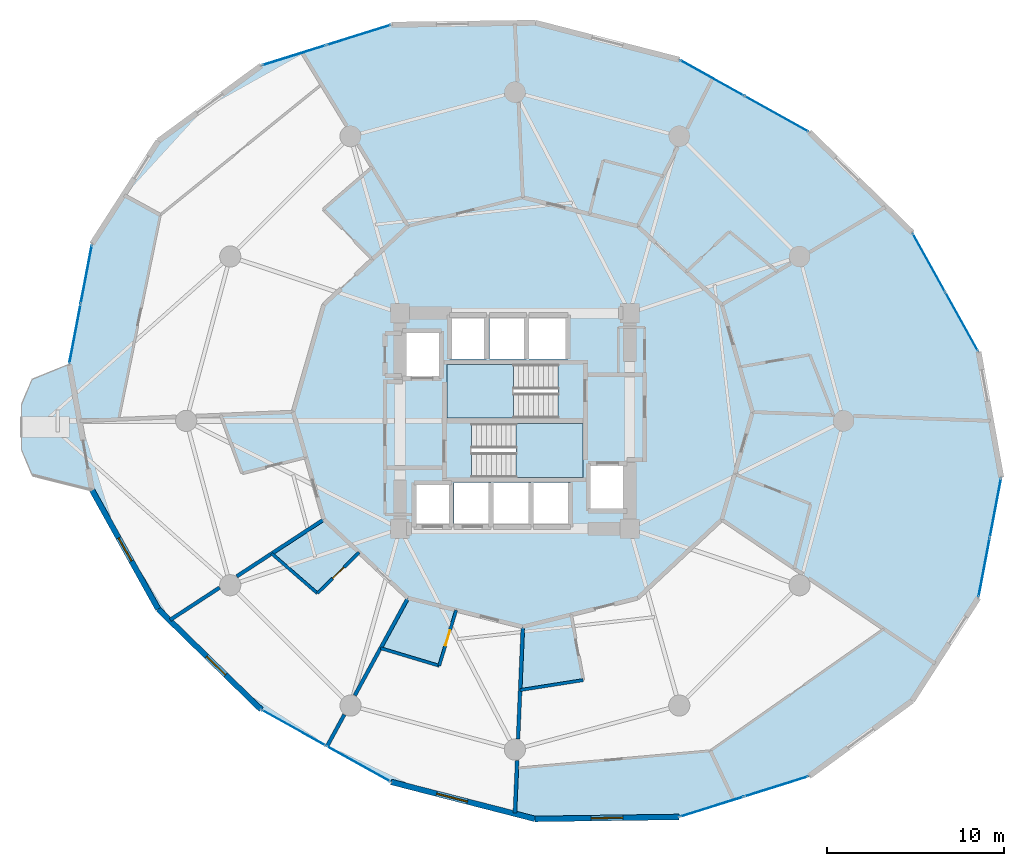
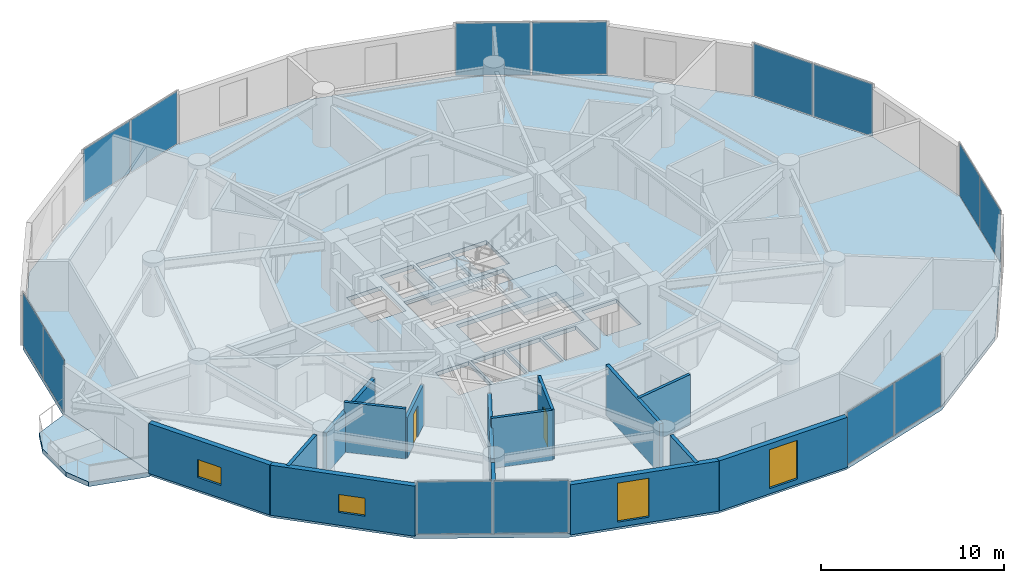
# One storey, part 16 of 22: 15 walls, 14 plates, 4 slabs, 4 windows, 2 doors, 6 openings, 9 elements without a shape of their own.
"""IFC4 building model written with IfcOpenShell, lengths in metres."""

import ifcopenshell
import ifcopenshell.guid

model = None  # the IFC model being written
_history = None  # IfcOwnerHistory: only IFC2X3 demands one
_inside = {}  # id of a spatial element -> (the spatial element, [elements in it])
_under = {}  # id of a project, library or spatial element -> (it, [spatial elements below it])
_declared = {}  # id of a project -> (the project, [libraries it declares])
_typed = {}  # id of a type object -> (the type object, [elements of that type])
_made_of = {}  # id of a material, layer set ... -> (it, [elements and type objects made of it])


def new_model(schema):
    """Start an empty IFC model of exactly this schema.

    Asked for "IFC4X3", IfcOpenShell would pick the latest addendum, in which some entities
    have other attributes; the version numbers below select the first issue.
    IFC2X3 requires an IfcOwnerHistory on every rooted entity: one is made here for all.
    """
    global model, _history
    if schema == "IFC4X3":
        model = ifcopenshell.file(schema_version=(4, 3, 0, 0))
    else:
        model = ifcopenshell.file(schema=schema)
    _inside.clear()
    _under.clear()
    _declared.clear()
    _typed.clear()
    _made_of.clear()
    _history = None
    if model.schema == "IFC2X3":
        org = make("IfcOrganization", Name="unknown")
        user = make(
            "IfcPersonAndOrganization",
            ThePerson=make("IfcPerson", FamilyName="unknown"),
            TheOrganization=org,
        )
        app = make(
            "IfcApplication",
            ApplicationDeveloper=org,
            Version="unknown",
            ApplicationFullName="unknown",
            ApplicationIdentifier="unknown",
        )
        _history = make(
            "IfcOwnerHistory",
            OwningUser=user,
            OwningApplication=app,
            ChangeAction="ADDED",
            CreationDate=0,
        )
    return model


def make(cls, **values):
    """One entity of the class cls with the attributes given. An attribute that is None is left unset."""
    return model.create_entity(
        cls, **{name: value for name, value in values.items() if value is not None}
    )


def rooted(cls, **values):
    """An entity with a GlobalId (a new one), such as an element, a storey or a relation."""
    return make(cls, GlobalId=ifcopenshell.guid.new(), OwnerHistory=_history, **values)


def si_unit(unit_type, name, prefix=None):
    """IfcSIUnit, for example si_unit("LENGTHUNIT", "METRE", prefix="MILLI")."""
    return make("IfcSIUnit", UnitType=unit_type, Prefix=prefix, Name=name)


def assignment(units):
    """IfcUnitAssignment: the units of a project."""
    return None if units is None else make("IfcUnitAssignment", Units=units)


def point(xyz):
    """IfcCartesianPoint."""
    return None if xyz is None else make("IfcCartesianPoint", Coordinates=xyz)


def direction(xyz):
    """IfcDirection."""
    return None if xyz is None else make("IfcDirection", DirectionRatios=xyz)


def frame(location, z_axis=None, x_axis=None):
    """IfcAxis2Placement3D, a coordinate frame: its origin and axes. An axis left out is left unset."""
    return make(
        "IfcAxis2Placement3D",
        Location=point(location),
        Axis=direction(z_axis),
        RefDirection=direction(x_axis),
    )


def frame_2d(location, x_axis=None):
    """IfcAxis2Placement2D, a coordinate frame in the plane: its origin and x axis."""
    return make(
        "IfcAxis2Placement2D", Location=point(location), RefDirection=direction(x_axis)
    )


def origin():
    """The frame at (0, 0, 0) with its axes left unset."""
    return frame((0.0, 0.0, 0.0))


def origin_2d():
    """The frame at (0, 0) in the plane with its x axis left unset."""
    return frame_2d((0.0, 0.0))


def place(relative_to, where):
    """IfcLocalPlacement: puts the frame where relative to a parent placement (None: the world)."""
    return make(
        "IfcLocalPlacement", PlacementRelTo=relative_to, RelativePlacement=where
    )


def context(
    kind, dimensions, precision=None, world=None, true_north=None, identifier=None
):
    """IfcGeometricRepresentationContext, for example the 3D "Model" context."""
    return make(
        "IfcGeometricRepresentationContext",
        ContextIdentifier=identifier,
        ContextType=kind,
        CoordinateSpaceDimension=dimensions,
        Precision=precision,
        WorldCoordinateSystem=world,
        TrueNorth=true_north,
    )


def subcontext(parent, identifier, kind, view, scale=None):
    """IfcGeometricRepresentationSubContext, for example "Body" below "Model"."""
    return make(
        "IfcGeometricRepresentationSubContext",
        ContextIdentifier=identifier,
        ContextType=kind,
        ParentContext=parent,
        TargetScale=scale,
        TargetView=view,
    )


def project(units=None, contexts=None):
    """IfcProject with its units and contexts."""
    return rooted(
        "IfcProject",
        Name="project",
        RepresentationContexts=contexts,
        UnitsInContext=assignment(units),
    )


def spatial(cls, under=None, at=None, **own):
    """A site, building, storey or space (cls), placed at a placement, below another one or the project."""
    s = rooted(cls, ObjectPlacement=at, **own)
    if under is not None:
        _under.setdefault(under.id(), (under, []))[1].append(s)
    return s


def polyline(points):
    """IfcPolyline through the points."""
    return make("IfcPolyline", Points=[point(p) for p in points])


def profile(cls, at=None, kind="AREA", **sizes):
    """A parametric profile (cls). Its sizes go by their IFC names, for example OverallWidth=200.0."""
    return make(cls, ProfileType=kind, Position=at, **sizes)


def rectangle(**sizes):
    """IfcRectangleProfileDef."""
    return profile("IfcRectangleProfileDef", **sizes)


def outline(outer, holes=None, kind="AREA"):
    """IfcArbitraryClosedProfileDef: a profile drawn as a closed curve; with holes, ...WithVoids."""
    if holes is None:
        return make("IfcArbitraryClosedProfileDef", ProfileType=kind, OuterCurve=outer)
    return make(
        "IfcArbitraryProfileDefWithVoids",
        ProfileType=kind,
        OuterCurve=outer,
        InnerCurves=holes,
    )


def extrude(swept, where, along, depth):
    """IfcExtrudedAreaSolid: the profile swept, set in the frame where, extruded along a direction by depth."""
    return make(
        "IfcExtrudedAreaSolid",
        SweptArea=swept,
        Position=where,
        ExtrudedDirection=direction(along),
        Depth=depth,
    )


def shape(context_of_items, identifier, shape_type, items):
    """IfcShapeRepresentation: the items that make up one representation, for example the "Body"."""
    return make(
        "IfcShapeRepresentation",
        ContextOfItems=context_of_items,
        RepresentationIdentifier=identifier,
        RepresentationType=shape_type,
        Items=items,
    )


def source(mapping_origin, context_of_items, identifier, shape_type, items):
    """IfcRepresentationMap: a shape defined once, which mapped items show again and again."""
    return make(
        "IfcRepresentationMap",
        MappingOrigin=mapping_origin,
        MappedRepresentation=shape(context_of_items, identifier, shape_type, items),
    )


def transform(
    local_origin,
    x_axis=None,
    y_axis=None,
    z_axis=None,
    scale=None,
    scale2=None,
    scale3=None,
    uniform=True,
):
    """IfcCartesianTransformationOperator3D, or its non-uniform kind. x_axis, y_axis, z_axis: its Axis1, 2, 3."""
    if uniform:
        return make(
            "IfcCartesianTransformationOperator3D",
            Axis1=direction(x_axis),
            Axis2=direction(y_axis),
            LocalOrigin=point(local_origin),
            Scale=scale,
            Axis3=direction(z_axis),
        )
    return make(
        "IfcCartesianTransformationOperator3DnonUniform",
        Axis1=direction(x_axis),
        Axis2=direction(y_axis),
        LocalOrigin=point(local_origin),
        Scale=scale,
        Axis3=direction(z_axis),
        Scale2=scale2,
        Scale3=scale3,
    )


def mapped(mapping_source, mapping_target):
    """IfcMappedItem: shows the shape of a source again, moved by a transform."""
    return make(
        "IfcMappedItem", MappingSource=mapping_source, MappingTarget=mapping_target
    )


def material(Name=None, Category=None):
    """IfcMaterial."""
    return make("IfcMaterial", Name=Name, Category=Category)


def layer(
    of_material, thickness, ventilated=None, Name=None, Category=None, Priority=None
):
    """IfcMaterialLayer: one layer of a wall or slab, of a material (None: an air gap)."""
    return make(
        "IfcMaterialLayer",
        Material=of_material,
        LayerThickness=thickness,
        IsVentilated=ventilated,
        Name=Name,
        Category=Category,
        Priority=Priority,
    )


def layer_set(layers, Name=None):
    """IfcMaterialLayerSet."""
    return make("IfcMaterialLayerSet", MaterialLayers=layers, LayerSetName=Name)


def made_of(thing, what):
    """Note that an element or type object is made of a material, layer set ...; save() writes the relation."""
    if what is not None:
        _made_of.setdefault(what.id(), (what, []))[1].append(thing)
    return thing


def type_object(cls, material=None, **own):
    """A type object (cls), such as IfcWallType, which elements share."""
    return made_of(rooted(cls, **own), material)


def element(
    cls,
    number,
    at=None,
    inside=None,
    cuts=None,
    type_object=None,
    material=None,
    context=None,
    identifier="Body",
    shape_type=None,
    held_by="IfcProductDefinitionShape",
    body=None,
    shapes=None,
    **own,
):
    """One element of the class cls, such as IfcWall. Its Tag is "e" and its number.

    at: its placement. inside: the storey or other place that contains it. cuts: it is an
    opening in that element (IfcRelVoidsElement). A single representation is given by context,
    identifier, shape_type and body (its items); several are given by shapes. held_by: the class
    of the entity that holds the representations. save() writes the other relations.
    """
    e = rooted(cls, Tag="e%d" % number, ObjectPlacement=at, **own)
    if body is not None:
        shapes = [shape(context, identifier, shape_type, body)]
    if shapes is not None:
        e.Representation = make(held_by, Representations=shapes)
    if inside is not None:
        _inside.setdefault(inside.id(), (inside, []))[1].append(e)
    if cuts is not None:
        rooted(
            "IfcRelVoidsElement", RelatingBuildingElement=cuts, RelatedOpeningElement=e
        )
    if type_object is not None:
        _typed.setdefault(type_object.id(), (type_object, []))[1].append(e)
    return made_of(e, material)


def fill(opening, filler):
    """IfcRelFillsElement: the door or window that sits in an opening."""
    return rooted(
        "IfcRelFillsElement",
        RelatingOpeningElement=opening,
        RelatedBuildingElement=filler,
    )


def aggregate(whole, parts):
    """IfcRelAggregates: a whole, such as a stair, and the parts it consists of."""
    return rooted("IfcRelAggregates", RelatingObject=whole, RelatedObjects=parts)


def save(model, path):
    """Write the relations noted so far, then the file.

    IfcRelAggregates (storeys below a building ...), IfcRelContainedInSpatialStructure (elements
    in a storey), IfcRelDefinesByType, IfcRelAssociatesMaterial and IfcRelDeclares: one each for
    every whole, place, type object, material and project.
    """
    for whole, parts in _under.values():
        aggregate(whole, parts)
    for where, things in _inside.values():
        rooted(
            "IfcRelContainedInSpatialStructure",
            RelatedElements=things,
            RelatingStructure=where,
        )
    for kind, things in _typed.values():
        rooted("IfcRelDefinesByType", RelatedObjects=things, RelatingType=kind)
    for what, things in _made_of.values():
        rooted("IfcRelAssociatesMaterial", RelatedObjects=things, RelatingMaterial=what)
    for by, libraries in _declared.values():
        rooted("IfcRelDeclares", RelatingContext=by, RelatedDefinitions=libraries)
    model.write(path)


model = new_model("IFC4")

# Units and contexts
model_context = context("Model", 3, precision=1e-05, world=origin(), true_north=direction((0.0, 1.0)))
body_context = subcontext(model_context, "Body", "Model", "MODEL_VIEW")
ifc_project = project(units=[si_unit("LENGTHUNIT", "METRE"), si_unit("AREAUNIT", "SQUARE_METRE"), si_unit("VOLUMEUNIT", "CUBIC_METRE"), si_unit("PLANEANGLEUNIT", "RADIAN"), si_unit("MASSUNIT", "GRAM", prefix="KILO")], contexts=[model_context])

# Site, building, storey
site_placement = place(None, origin())
site = spatial("IfcSite", under=ifc_project, at=site_placement, CompositionType="ELEMENT")
building_placement = place(site_placement, origin())
building = spatial("IfcBuilding", under=site, at=building_placement, Name="Solvirekh Grand Hotel", CompositionType="ELEMENT")
storey_placement = place(building_placement, frame((0.0, 0.0, 78.800048828125)))
storey = spatial("IfcBuildingStorey", under=building, at=storey_placement, Name="L19", CompositionType="ELEMENT", Elevation=78.800048828125)

# Slab
ifc_material_1 = material(Name="Concrete C50/60", Category="concrete")
ifc_layer_1 = layer(ifc_material_1, 0.31005859375)
ifc_layer_set_1 = layer_set([ifc_layer_1], Name="Concrete C50/60")
slab_type_1 = type_object("IfcSlabType", Name="ExtHornSkyGarden_310", PredefinedType="FLOOR", material=ifc_layer_set_1)
slab_1_placement = place(storey_placement, frame((0.0, 0.0, -0.31005859375)))
element("IfcSlab", 1, at=slab_1_placement, inside=storey, type_object=slab_type_1, Name="L19 west horn sky-garden deck", PredefinedType="FLOOR", context=body_context, shape_type="SweptSolid", body=[
    extrude(outline(polyline([(-27.319091796875, 2.35205078125), (-27.9189453125, 0.927978515625), (-27.9189453125, -1.634033203125), (-27.319091796875, -3.05810546875), (-23.930908203125, -3.912109375), (-25.218994140625, 3.2060546875), (-27.319091796875, 2.35205078125)])), origin(), (0.0, 0.0, 1.0), 0.31005859375),
])

# Stair, slab
ifc_material_2 = material(Name="Concrete C40/50", Category="concrete")
stair_type = type_object("IfcStairType", Name="Stair_Core_1450", PredefinedType="HALF_TURN_STAIR", material=ifc_material_2)
stair_1_placement = place(storey_placement, origin())
stair_1 = element("IfcStair", 2, at=stair_1_placement, inside=storey, type_object=stair_type, Name="L19 Enclosed exit stair ST-1", PredefinedType="HALF_TURN_STAIR")
ifc_layer_2 = layer(ifc_material_2, 0.199951171875)
ifc_layer_set_2 = layer_set([ifc_layer_2], Name="Concrete C40/50")
slab_type_2 = type_object("IfcSlabType", Name="Landing_Stair_200", PredefinedType="LANDING", material=ifc_layer_set_2)
slab_2_placement = place(storey_placement, frame((0.0, 0.0, 1.599853515625)))
slab_2 = element("IfcSlab", 3, at=slab_2_placement, type_object=slab_type_2, Name="ST-1 landing 1", PredefinedType="LANDING", context=body_context, shape_type="SweptSolid", body=[
    extrude(outline(polyline([(0.070068359375, -3.199951171875), (3.85009765625, -3.199951171875), (3.85009765625, -0.14990234375), (0.070068359375, -0.14990234375), (0.070068359375, -3.199951171875)])), origin(), (0.0, 0.0, 1.0), 0.2001953125),
])
aggregate(stair_1, [slab_2])

stair_2_placement = place(storey_placement, origin())
stair_2 = element("IfcStair", 4, at=stair_2_placement, inside=storey, type_object=stair_type, Name="L19 Enclosed exit stair ST-2", PredefinedType="HALF_TURN_STAIR")
slab_3_placement = place(storey_placement, frame((0.0, 0.0, 1.599853515625)))
slab_3 = element("IfcSlab", 5, at=slab_3_placement, type_object=slab_type_2, Name="ST-2 landing 1", PredefinedType="LANDING", context=body_context, shape_type="SweptSolid", body=[
    extrude(outline(polyline([(-0.070068359375, 3.199951171875), (-3.85009765625, 3.199951171875), (-3.85009765625, 0.14990234375), (-0.070068359375, 0.14990234375), (-0.070068359375, 3.199951171875)])), origin(), (0.0, 0.0, 1.0), 0.2001953125),
])
aggregate(stair_2, [slab_3])

# Slab
ifc_layer_3 = layer(ifc_material_1, 0.260009765625)
ifc_layer_set_3 = layer_set([ifc_layer_3], Name="Concrete C50/60")
slab_type_3 = type_object("IfcSlabType", Name="Slab_GuestZ1_260", PredefinedType="FLOOR", material=ifc_layer_set_3)
slab_4_placement = place(storey_placement, frame((0.0, 0.0, -0.260009765625)))
element("IfcSlab", 6, at=slab_4_placement, inside=storey, type_object=slab_type_3, Name="L19 structural floor slab", PredefinedType="FLOOR", context=body_context, shape_type="SweptSolid", body=[
    extrude(outline(polyline([(26.22607421875, -10.009033203125), (27.51904296875, -3.2060546875), (26.23095703125, 3.912109375), (22.488037109375, 10.64697265625), (16.656005859375, 16.339111328125), (9.305908203125, 20.431884765625), (1.157958984375, 22.52490234375), (-6.990966796875, 22.4140625), (-14.343017578125, 20.10791015625), (-20.178955078125, 15.8330078125), (-23.926025390625, 10.009033203125), (-25.218994140625, 3.2060546875), (-23.930908203125, -3.912109375), (-20.18798828125, -10.64697265625), (-14.35595703125, -16.339111328125), (-7.006103515625, -20.431884765625), (1.14208984375, -22.52490234375), (9.291015625, -22.4140625), (16.64306640625, -20.10791015625), (22.47900390625, -15.8330078125), (26.22607421875, -10.009033203125)]), holes=[polyline([(-2.444091796875, -0.14990234375), (3.85009765625, -0.14990234375), (3.85009765625, -3.199951171875), (-2.444091796875, -3.199951171875), (-2.444091796875, -0.14990234375)]), polyline([(2.444091796875, 0.14990234375), (-3.85009765625, 0.14990234375), (-3.85009765625, 3.199951171875), (2.444091796875, 3.199951171875), (2.444091796875, 0.14990234375)]), polyline([(-5.699951171875, -3.5), (-3.60009765625, -3.5), (-3.60009765625, -6.0), (-5.699951171875, -6.0), (-5.699951171875, -3.5)]), polyline([(-3.449951171875, -3.5), (-1.35009765625, -3.5), (-1.35009765625, -6.0), (-3.449951171875, -6.0), (-3.449951171875, -3.5)]), polyline([(-1.199951171875, -3.5), (0.89990234375, -3.5), (0.89990234375, -6.0), (-1.199951171875, -6.0), (-1.199951171875, -3.5)]), polyline([(1.050048828125, -3.5), (3.14990234375, -3.5), (3.14990234375, -6.0), (1.050048828125, -6.0), (1.050048828125, -3.5)]), polyline([(-3.699951171875, 6.0), (-1.60009765625, 6.0), (-1.60009765625, 3.5), (-3.699951171875, 3.5), (-3.699951171875, 6.0)]), polyline([(-1.449951171875, 6.0), (0.64990234375, 6.0), (0.64990234375, 3.5), (-1.449951171875, 3.5), (-1.449951171875, 6.0)]), polyline([(0.800048828125, 6.0), (3.0, 6.0), (3.0, 3.5), (0.800048828125, 3.5), (0.800048828125, 6.0)]), polyline([(-6.35009765625, 5.10009765625), (-4.14990234375, 5.10009765625), (-4.14990234375, 2.39990234375), (-6.35009765625, 2.39990234375), (-6.35009765625, 5.10009765625)]), polyline([(4.14990234375, -2.39990234375), (6.35009765625, -2.39990234375), (6.35009765625, -5.10009765625), (4.14990234375, -5.10009765625), (4.14990234375, -2.39990234375)])]), origin(), (0.0, 0.0, 1.0), 0.260009765625),
])

# Curtain wall, plates
ifc_material_3 = material(Name="Anodized Bronze Aluminium 6063-T6", Category="aluminium")
ifc_layer_4 = layer(ifc_material_3, 0.18994140625)
ifc_layer_set_4 = layer_set([ifc_layer_4], Name="Anodized Bronze Aluminium 6063-T6")
curtain_wall_type = type_object("IfcCurtainWallType", Name="CW_Sys2_LowZoneFlushBronzeCW", PredefinedType="NOTDEFINED", material=ifc_layer_set_4)
curtain_wall_1_placement = place(storey_placement, origin())
curtain_wall_1 = element("IfcCurtainWall", 7, at=curtain_wall_1_placement, inside=storey, type_object=curtain_wall_type, Name="L19 unitised bronze-glass curtain wall CW-L19-C01", PredefinedType="NOTDEFINED")
ifc_material_4 = material(Name="Low-E Tinted Bronze Laminated Glass", Category="aluminium")
ifc_layer_5 = layer(ifc_material_4, 0.0380859375)
ifc_layer_set_5 = layer_set([ifc_layer_5], Name="Low-E Tinted Bronze Laminated Glass")
plate_type = type_object("IfcPlateType", Name="CWPanel_Low_38", PredefinedType="CURTAIN_PANEL", material=ifc_layer_set_5)
shared_shape_1 = source(origin(), body_context, "Body", "SweptSolid", [
    extrude(rectangle(XDim=3.357421875, YDim=0.0380859375, at=origin_2d()), origin(), (0.0, 0.0, 1.0), 3.47998046875),
])
plate_1_placement = place(storey_placement, frame((26.552490234375, -8.291015625, 0.06005859375), z_axis=(0.0, 0.0, 1.0), x_axis=(0.186720577707, 0.98241306275, 0.0)))
plate_1 = element("IfcPlate", 8, at=plate_1_placement, type_object=plate_type, Name="U02 panel 1.1", PredefinedType="CURTAIN_PANEL", context=body_context, shape_type="MappedRepresentation", body=[
    mapped(shared_shape_1, transform((0.0, 0.0, 0.0), x_axis=(1.0, 0.0, 0.0), y_axis=(0.0, 1.0, 0.0), z_axis=(0.0, 0.0, 1.0), scale=1.0)),
])
plate_2_placement = place(storey_placement, frame((27.1923828125, -4.923828125, 0.06005859375), z_axis=(0.0, 0.0, 1.0), x_axis=(0.186720577707, 0.98241306275, 0.0)))
plate_2 = element("IfcPlate", 9, at=plate_2_placement, type_object=plate_type, Name="U02 panel 2.1", PredefinedType="CURTAIN_PANEL", context=body_context, shape_type="MappedRepresentation", body=[
    mapped(shared_shape_1, transform((0.0, 0.0, 0.0), x_axis=(1.0, 0.0, 0.0), y_axis=(0.0, 1.0, 0.0), z_axis=(0.0, 0.0, 1.0), scale=1.0)),
])
aggregate(curtain_wall_1, [plate_1, plate_2])

curtain_wall_2_placement = place(storey_placement, origin())
curtain_wall_2 = element("IfcCurtainWall", 10, at=curtain_wall_2_placement, inside=storey, type_object=curtain_wall_type, Name="L19 unitised bronze-glass curtain wall CW-L19-C11", PredefinedType="NOTDEFINED")
plate_3_placement = place(storey_placement, frame((-24.25244140625, 8.291015625, 0.06005859375), z_axis=(0.0, 0.0, 1.0), x_axis=(-0.186720577707, -0.98241306275, 0.0)))
plate_3 = element("IfcPlate", 11, at=plate_3_placement, type_object=plate_type, Name="U02 panel 1.1", PredefinedType="CURTAIN_PANEL", context=body_context, shape_type="MappedRepresentation", body=[
    mapped(shared_shape_1, transform((0.0, 0.0, 0.0), x_axis=(1.0, 0.0, 0.0), y_axis=(0.0, 1.0, 0.0), z_axis=(0.0, 0.0, 1.0), scale=1.0)),
])
plate_4_placement = place(storey_placement, frame((-24.892578125, 4.923828125, 0.06005859375), z_axis=(0.0, 0.0, 1.0), x_axis=(-0.186720577707, -0.98241306275, 0.0)))
plate_4 = element("IfcPlate", 12, at=plate_4_placement, type_object=plate_type, Name="U02 panel 2.1", PredefinedType="CURTAIN_PANEL", context=body_context, shape_type="MappedRepresentation", body=[
    mapped(shared_shape_1, transform((0.0, 0.0, 0.0), x_axis=(1.0, 0.0, 0.0), y_axis=(0.0, 1.0, 0.0), z_axis=(0.0, 0.0, 1.0), scale=1.0)),
])
aggregate(curtain_wall_2, [plate_3, plate_4])

curtain_wall_3_placement = place(storey_placement, origin())
curtain_wall_3 = element("IfcCurtainWall", 13, at=curtain_wall_3_placement, inside=storey, type_object=curtain_wall_type, Name="L19 unitised bronze-glass curtain wall CW-L19-C03", PredefinedType="NOTDEFINED")
shared_shape_2 = source(origin(), body_context, "Body", "SweptSolid", [
    extrude(rectangle(XDim=3.74755859375, YDim=0.0380859375, at=origin_2d()), origin(), (0.0, 0.0, 1.0), 3.47998046875),
])
plate_5_placement = place(storey_placement, frame((25.286865234375, 5.611083984375, 0.06005859375), z_axis=(0.0, 0.0, 1.0), x_axis=(-0.485775156652, 0.874083804437, 0.0)))
plate_5 = element("IfcPlate", 14, at=plate_5_placement, type_object=plate_type, Name="U02 panel 1.1", PredefinedType="CURTAIN_PANEL", context=body_context, shape_type="MappedRepresentation", body=[
    mapped(shared_shape_2, transform((0.0, 0.0, 0.0), x_axis=(1.0, 0.0, 0.0), y_axis=(0.0, 1.0, 0.0), z_axis=(0.0, 0.0, 1.0), scale=1.0)),
])
plate_6_placement = place(storey_placement, frame((23.432373046875, 8.947998046875, 0.06005859375), z_axis=(0.0, 0.0, 1.0), x_axis=(-0.485775156652, 0.874083804437, 0.0)))
plate_6 = element("IfcPlate", 15, at=plate_6_placement, type_object=plate_type, Name="U02 panel 2.1", PredefinedType="CURTAIN_PANEL", context=body_context, shape_type="MappedRepresentation", body=[
    mapped(shared_shape_2, transform((0.0, 0.0, 0.0), x_axis=(1.0, 0.0, 0.0), y_axis=(0.0, 1.0, 0.0), z_axis=(0.0, 0.0, 1.0), scale=1.0)),
])
aggregate(curtain_wall_3, [plate_5, plate_6])

curtain_wall_4_placement = place(storey_placement, origin())
curtain_wall_4 = element("IfcCurtainWall", 16, at=curtain_wall_4_placement, inside=storey, type_object=curtain_wall_type, Name="L19 unitised bronze-glass curtain wall CW-L19-C08", PredefinedType="NOTDEFINED")
plate_7_placement = place(storey_placement, frame((-8.845703125, 21.832275390625, 0.06005859375), z_axis=(0.0, 0.0, 1.0), x_axis=(-0.95416538305, -0.299279838596, 0.0)))
plate_7 = element("IfcPlate", 17, at=plate_7_placement, type_object=plate_type, Name="U02 panel 1.1", PredefinedType="CURTAIN_PANEL", context=body_context, shape_type="MappedRepresentation", body=[
    mapped(shared_shape_2, transform((0.0, 0.0, 0.0), x_axis=(1.0, 0.0, 0.0), y_axis=(0.0, 1.0, 0.0), z_axis=(0.0, 0.0, 1.0), scale=1.0)),
])
plate_8_placement = place(storey_placement, frame((-12.48828125, 20.689697265625, 0.06005859375), z_axis=(0.0, 0.0, 1.0), x_axis=(-0.95416538305, -0.299279838596, 0.0)))
plate_8 = element("IfcPlate", 18, at=plate_8_placement, type_object=plate_type, Name="U02 panel 2.1", PredefinedType="CURTAIN_PANEL", context=body_context, shape_type="MappedRepresentation", body=[
    mapped(shared_shape_2, transform((0.0, 0.0, 0.0), x_axis=(1.0, 0.0, 0.0), y_axis=(0.0, 1.0, 0.0), z_axis=(0.0, 0.0, 1.0), scale=1.0)),
])
aggregate(curtain_wall_4, [plate_7, plate_8])

curtain_wall_5_placement = place(storey_placement, origin())
curtain_wall_5 = element("IfcCurtainWall", 19, at=curtain_wall_5_placement, inside=storey, type_object=curtain_wall_type, Name="L19 unitised bronze-glass curtain wall CW-L19-C18", PredefinedType="NOTDEFINED")
plate_9_placement = place(storey_placement, frame((11.145751953125, -21.832275390625, 0.06005859375), z_axis=(0.0, 0.0, 1.0), x_axis=(0.95416538305, 0.299279838596, 0.0)))
plate_9 = element("IfcPlate", 20, at=plate_9_placement, type_object=plate_type, Name="U02 panel 1.1", PredefinedType="CURTAIN_PANEL", context=body_context, shape_type="MappedRepresentation", body=[
    mapped(shared_shape_2, transform((0.0, 0.0, 0.0), x_axis=(1.0, 0.0, 0.0), y_axis=(0.0, 1.0, 0.0), z_axis=(0.0, 0.0, 1.0), scale=1.0)),
])
plate_10_placement = place(storey_placement, frame((14.788330078125, -20.689697265625, 0.06005859375), z_axis=(0.0, 0.0, 1.0), x_axis=(0.95416538305, 0.299279838596, 0.0)))
plate_10 = element("IfcPlate", 21, at=plate_10_placement, type_object=plate_type, Name="U02 panel 2.1", PredefinedType="CURTAIN_PANEL", context=body_context, shape_type="MappedRepresentation", body=[
    mapped(shared_shape_2, transform((0.0, 0.0, 0.0), x_axis=(1.0, 0.0, 0.0), y_axis=(0.0, 1.0, 0.0), z_axis=(0.0, 0.0, 1.0), scale=1.0)),
])
aggregate(curtain_wall_5, [plate_9, plate_10])

curtain_wall_6_placement = place(storey_placement, origin())
curtain_wall_6 = element("IfcCurtainWall", 22, at=curtain_wall_6_placement, inside=storey, type_object=curtain_wall_type, Name="L19 unitised bronze-glass curtain wall CW-L19-C05", PredefinedType="NOTDEFINED")
shared_shape_3 = source(origin(), body_context, "Body", "SweptSolid", [
    extrude(rectangle(XDim=4.101318359375, YDim=0.0380859375, at=origin_2d()), origin(), (0.0, 0.0, 1.0), 3.47998046875),
])
plate_11_placement = place(storey_placement, frame((14.80322265625, 17.370849609375, 0.06005859375), z_axis=(0.0, 0.0, 1.0), x_axis=(-0.873669033798, 0.486520728626, 0.0)))
plate_11 = element("IfcPlate", 23, at=plate_11_placement, type_object=plate_type, Name="U02 panel 1.1", PredefinedType="CURTAIN_PANEL", context=body_context, shape_type="MappedRepresentation", body=[
    mapped(shared_shape_3, transform((0.0, 0.0, 0.0), x_axis=(1.0, 0.0, 0.0), y_axis=(0.0, 1.0, 0.0), z_axis=(0.0, 0.0, 1.0), scale=1.0)),
])
plate_12_placement = place(storey_placement, frame((11.15869140625, 19.400146484375, 0.06005859375), z_axis=(0.0, 0.0, 1.0), x_axis=(-0.873669033798, 0.486520728626, 0.0)))
plate_12 = element("IfcPlate", 24, at=plate_12_placement, type_object=plate_type, Name="U02 panel 2.1", PredefinedType="CURTAIN_PANEL", context=body_context, shape_type="MappedRepresentation", body=[
    mapped(shared_shape_3, transform((0.0, 0.0, 0.0), x_axis=(1.0, 0.0, 0.0), y_axis=(0.0, 1.0, 0.0), z_axis=(0.0, 0.0, 1.0), scale=1.0)),
])
aggregate(curtain_wall_6, [plate_11, plate_12])

curtain_wall_7_placement = place(storey_placement, origin())
curtain_wall_7 = element("IfcCurtainWall", 25, at=curtain_wall_7_placement, inside=storey, type_object=curtain_wall_type, Name="L19 unitised bronze-glass curtain wall CW-L19-C15", PredefinedType="NOTDEFINED")
plate_13_placement = place(storey_placement, frame((-12.503173828125, -17.370849609375, 0.06005859375), z_axis=(0.0, 0.0, 1.0), x_axis=(0.873669033798, -0.486520728626, 0.0)))
plate_13 = element("IfcPlate", 26, at=plate_13_placement, type_object=plate_type, Name="U02 panel 1.1", PredefinedType="CURTAIN_PANEL", context=body_context, shape_type="MappedRepresentation", body=[
    mapped(shared_shape_3, transform((0.0, 0.0, 0.0), x_axis=(1.0, 0.0, 0.0), y_axis=(0.0, 1.0, 0.0), z_axis=(0.0, 0.0, 1.0), scale=1.0)),
])
plate_14_placement = place(storey_placement, frame((-8.85888671875, -19.400146484375, 0.06005859375), z_axis=(0.0, 0.0, 1.0), x_axis=(0.873669033798, -0.486520728626, 0.0)))
plate_14 = element("IfcPlate", 27, at=plate_14_placement, type_object=plate_type, Name="U02 panel 2.1", PredefinedType="CURTAIN_PANEL", context=body_context, shape_type="MappedRepresentation", body=[
    mapped(shared_shape_3, transform((0.0, 0.0, 0.0), x_axis=(1.0, 0.0, 0.0), y_axis=(0.0, 1.0, 0.0), z_axis=(0.0, 0.0, 1.0), scale=1.0)),
])
aggregate(curtain_wall_7, [plate_13, plate_14])

# Wall, opening, window
ifc_material_5 = material(Name="Precast concrete C45/55", Category="concrete")
ifc_layer_6 = layer(ifc_material_5, 0.320068359375)
ifc_layer_set_6 = layer_set([ifc_layer_6], Name="Precast concrete C45/55")
wall_type_1 = type_object("IfcWallType", Name="ExtLobbyWall_RC320", PredefinedType="SOLIDWALL", material=ifc_layer_set_6)
wall_1_placement = place(storey_placement, frame((-20.18798828125, -10.64697265625, 0.0), z_axis=(0.0, 0.0, 1.0), x_axis=(-0.485774750474, 0.874084030172, 0.0)))
wall_1 = element("IfcWall", 28, at=wall_1_placement, inside=storey, type_object=wall_type_1, Name="L19 cantilevered deck support wall chord 13", PredefinedType="SOLIDWALL", context=body_context, shape_type="SweptSolid", body=[
    extrude(rectangle(XDim=7.705078125, YDim=0.320068359375, at=frame_2d((3.8525390625, 0.0))), origin(), (0.0, 0.0, 1.0), 3.33984375),
])
opening_1_placement = place(wall_1_placement, frame((3.10302734375, 0.0, 0.85009765625)))
opening_1 = element("IfcOpeningElement", 29, at=opening_1_placement, cuts=wall_1, Name="Opening W05", PredefinedType="OPENING", context=body_context, shape_type="SweptSolid", body=[
    extrude(rectangle(XDim=1.5, YDim=1.199951171875, at=frame_2d((0.75, 0.60009765625))), frame((0.0, 0.169921875, 0.0), z_axis=(0.0, -1.0, 0.0), x_axis=(1.0, 0.0, 0.0)), (0.0, 0.0, 1.0), 0.340087890625),
])
window_type_1 = type_object("IfcWindowType", Name="Win_PlantVent_1500X1200", PartitioningType="SINGLE_PANEL", PredefinedType="WINDOW", material=ifc_material_4)
window_1_placement = place(opening_1_placement, origin())
window_1 = element("IfcWindow", 30, at=window_1_placement, inside=storey, type_object=window_type_1, Name="L19 bronze-framed vision ribbon window 13", OverallHeight=1.199951171875, OverallWidth=1.5, PartitioningType="SINGLE_PANEL", PredefinedType="WINDOW", context=body_context, shape_type="SweptSolid", body=[
    extrude(rectangle(XDim=1.5, YDim=1.199951171875, at=frame_2d((0.75, 0.60009765625))), frame((0.0, 0.030029296875, 0.0), z_axis=(0.0, -1.0, 0.0), x_axis=(1.0, 0.0, 0.0)), (0.0, 0.0, 1.0), 0.06005859375),
])
fill(opening_1, window_1)

wall_2_placement = place(storey_placement, frame((-14.35595703125, -16.339111328125, 0.0), z_axis=(0.0, 0.0, 1.0), x_axis=(-0.715637667014, 0.698471709914, 0.0)))
wall_2 = element("IfcWall", 31, at=wall_2_placement, inside=storey, type_object=wall_type_1, Name="L19 cantilevered deck support wall chord 14", PredefinedType="SOLIDWALL", context=body_context, shape_type="SweptSolid", body=[
    extrude(rectangle(XDim=8.1494140625, YDim=0.320068359375, at=frame_2d((4.07470703125, 0.0))), origin(), (0.0, 0.0, 1.0), 3.33984375),
])
opening_2_placement = place(wall_2_placement, frame((2.81494140625, 0.0, 0.85009765625)))
opening_2 = element("IfcOpeningElement", 32, at=opening_2_placement, cuts=wall_2, Name="Opening W05", PredefinedType="OPENING", context=body_context, shape_type="SweptSolid", body=[
    extrude(rectangle(XDim=1.5, YDim=1.199951171875, at=frame_2d((0.75, 0.60009765625))), frame((0.0, 0.169921875, 0.0), z_axis=(0.0, -1.0, 0.0), x_axis=(1.0, 0.0, 0.0)), (0.0, 0.0, 1.0), 0.340087890625),
])
window_2_placement = place(opening_2_placement, origin())
window_2 = element("IfcWindow", 33, at=window_2_placement, inside=storey, type_object=window_type_1, Name="L19 bronze-framed vision ribbon window 14", OverallHeight=1.199951171875, OverallWidth=1.5, PartitioningType="SINGLE_PANEL", PredefinedType="WINDOW", context=body_context, shape_type="SweptSolid", body=[
    extrude(rectangle(XDim=1.5, YDim=1.199951171875, at=frame_2d((0.75, 0.60009765625))), frame((0.0, 0.030029296875, 0.0), z_axis=(0.0, -1.0, 0.0), x_axis=(1.0, 0.0, 0.0)), (0.0, 0.0, 1.0), 0.06005859375),
])
fill(opening_2, window_2)

wall_3_placement = place(storey_placement, frame((1.14208984375, -22.52490234375, 0.0), z_axis=(0.0, 0.0, 1.0), x_axis=(-0.968556896671, 0.248792158057, 0.0)))
wall_3 = element("IfcWall", 34, at=wall_3_placement, inside=storey, type_object=wall_type_1, Name="L19 exterior structural wall chord 16", PredefinedType="SOLIDWALL", context=body_context, shape_type="SweptSolid", body=[
    extrude(rectangle(XDim=8.41259765625, YDim=0.320068359375, at=frame_2d((4.206298828125, 0.0))), origin(), (0.0, 0.0, 1.0), 3.33984375),
])
opening_3_placement = place(wall_3_placement, frame((3.950927734375, 0.0, 0.35009765625)))
opening_3 = element("IfcOpeningElement", 35, at=opening_3_placement, cuts=wall_3, Name="Opening W02", PredefinedType="OPENING", context=body_context, shape_type="SweptSolid", body=[
    extrude(rectangle(XDim=1.800048828125, YDim=2.60009765625, at=frame_2d((0.89990234375, 1.300048828125))), frame((0.0, 0.169921875, 0.0), z_axis=(0.0, -1.0, 0.0), x_axis=(1.0, 0.0, 0.0)), (0.0, 0.0, 1.0), 0.340087890625),
])
window_type_2 = type_object("IfcWindowType", Name="Win_LobbyExt_1800X2600", PartitioningType="SINGLE_PANEL", PredefinedType="WINDOW", material=ifc_material_4)
window_3_placement = place(opening_3_placement, origin())
window_3 = element("IfcWindow", 36, at=window_3_placement, inside=storey, type_object=window_type_2, Name="L19 panoramic bronze-framed window 16", OverallHeight=2.60009765625, OverallWidth=1.800048828125, PartitioningType="SINGLE_PANEL", PredefinedType="WINDOW", context=body_context, shape_type="SweptSolid", body=[
    extrude(rectangle(XDim=1.800048828125, YDim=2.60009765625, at=frame_2d((0.89990234375, 1.300048828125))), frame((0.0, 0.030029296875, 0.0), z_axis=(0.0, -1.0, 0.0), x_axis=(1.0, 0.0, 0.0)), (0.0, 0.0, 1.0), 0.06005859375),
])
fill(opening_3, window_3)

wall_4_placement = place(storey_placement, frame((9.291015625, -22.4140625, 0.0), z_axis=(0.0, 0.0, 1.0), x_axis=(-0.999907508711, -0.013600515578, 0.0)))
wall_4 = element("IfcWall", 37, at=wall_4_placement, inside=storey, type_object=wall_type_1, Name="L19 exterior structural wall chord 17", PredefinedType="SOLIDWALL", context=body_context, shape_type="SweptSolid", body=[
    extrude(rectangle(XDim=8.149658203125, YDim=0.320068359375, at=frame_2d((4.07470703125, 0.0))), origin(), (0.0, 0.0, 1.0), 3.33984375),
])
opening_4_placement = place(wall_4_placement, frame((3.175048828125, 0.0, 0.35009765625)))
opening_4 = element("IfcOpeningElement", 38, at=opening_4_placement, cuts=wall_4, Name="Opening W02", PredefinedType="OPENING", context=body_context, shape_type="SweptSolid", body=[
    extrude(rectangle(XDim=1.800048828125, YDim=2.60009765625, at=frame_2d((0.89990234375, 1.300048828125))), frame((0.0, 0.169921875, 0.0), z_axis=(0.0, -1.0, 0.0), x_axis=(1.0, 0.0, 0.0)), (0.0, 0.0, 1.0), 0.340087890625),
])
window_4_placement = place(opening_4_placement, origin())
window_4 = element("IfcWindow", 39, at=window_4_placement, inside=storey, type_object=window_type_2, Name="L19 panoramic bronze-framed window 17", OverallHeight=2.60009765625, OverallWidth=1.800048828125, PartitioningType="SINGLE_PANEL", PredefinedType="WINDOW", context=body_context, shape_type="SweptSolid", body=[
    extrude(rectangle(XDim=1.800048828125, YDim=2.60009765625, at=frame_2d((0.89990234375, 1.300048828125))), frame((0.0, 0.030029296875, 0.0), z_axis=(0.0, -1.0, 0.0), x_axis=(1.0, 0.0, 0.0)), (0.0, 0.0, 1.0), 0.06005859375),
])
fill(opening_4, window_4)

# Walls
ifc_material_6 = material(Name="Acoustic Gypsum Partition Assembly")
ifc_layer_7 = layer(ifc_material_6, 0.2099609375)
ifc_layer_set_7 = layer_set([ifc_layer_7], Name="Acoustic Gypsum Partition Assembly")
wall_type_2 = type_object("IfcWallType", Name="Part_SuiteDemise_210", PredefinedType="PARTITIONING", material=ifc_layer_set_7)
wall_5_placement = place(storey_placement, frame((-10.80810546875, -5.574951171875, 0.0), z_axis=(0.0, 0.0, 1.0), x_axis=(-0.836987857586, -0.547221459971, 0.0)))
element("IfcWall", 40, at=wall_5_placement, inside=storey, type_object=wall_type_2, Name="L19 suite radial wall 8 (A)", PredefinedType="PARTITIONING", context=body_context, shape_type="SweptSolid", body=[
    extrude(rectangle(XDim=5.8935546875, YDim=0.2099609375, at=frame_2d((2.94677734375, 0.0))), origin(), (0.0, 0.0, 1.0), 2.7080078125),
])
wall_6_placement = place(storey_placement, frame((-16.712890625, -9.43603515625, 0.0), z_axis=(0.0, 0.0, 1.0), x_axis=(-0.836961875398, -0.547261198268, 0.0)))
element("IfcWall", 41, at=wall_6_placement, inside=storey, type_object=wall_type_2, Name="L19 suite radial wall 8 (B)", PredefinedType="PARTITIONING", context=body_context, shape_type="SweptSolid", body=[
    extrude(rectangle(XDim=3.334716796875, YDim=0.2099609375, at=frame_2d((1.66748046875, 0.0))), origin(), (0.0, 0.0, 1.0), 3.33984375),
])
wall_7_placement = place(storey_placement, frame((-6.050048828125, -10.02197265625, 0.0), z_axis=(0.0, 0.0, 1.0), x_axis=(-0.479148902138, -0.877733632476, 0.0)))
element("IfcWall", 42, at=wall_7_placement, inside=storey, type_object=wall_type_2, Name="L19 suite radial wall 9 (A)", PredefinedType="PARTITIONING", context=body_context, shape_type="SweptSolid", body=[
    extrude(rectangle(XDim=6.281982421875, YDim=0.2099609375, at=frame_2d((3.14111328125, 0.0))), origin(), (0.0, 0.0, 1.0), 2.7080078125),
])
wall_8_placement = place(storey_placement, frame((-9.65087890625, -16.618896484375, 0.0), z_axis=(0.0, 0.0, 1.0), x_axis=(-0.478928914957, -0.877853686225, 0.0)))
element("IfcWall", 43, at=wall_8_placement, inside=storey, type_object=wall_type_2, Name="L19 suite radial wall 9 (B)", PredefinedType="PARTITIONING", context=body_context, shape_type="SweptSolid", body=[
    extrude(rectangle(XDim=2.0048828125, YDim=0.2099609375, at=frame_2d((1.00244140625, 0.0))), origin(), (0.0, 0.0, 1.0), 3.33984375),
])
wall_9_placement = place(storey_placement, frame((0.449951171875, -11.64990234375, 0.0), z_axis=(0.0, 0.0, 1.0), x_axis=(-0.042596217777, -0.999092369219, 0.0)))
element("IfcWall", 44, at=wall_9_placement, inside=storey, type_object=wall_type_2, Name="L19 suite radial wall 10 (A)", PredefinedType="PARTITIONING", context=body_context, shape_type="SweptSolid", body=[
    extrude(rectangle(XDim=6.362060546875, YDim=0.2099609375, at=frame_2d((3.18115234375, 0.0))), origin(), (0.0, 0.0, 1.0), 3.33984375),
])
wall_10_placement = place(storey_placement, frame((0.126953125, -19.20703125, 0.0), z_axis=(0.0, 0.0, 1.0), x_axis=(-0.042493889898, -0.999096726709, 0.0)))
element("IfcWall", 45, at=wall_10_placement, inside=storey, type_object=wall_type_2, Name="L19 suite radial wall 10 (B)", PredefinedType="PARTITIONING", context=body_context, shape_type="SweptSolid", body=[
    extrude(rectangle(XDim=2.987548828125, YDim=0.2099609375, at=frame_2d((1.49365234375, 0.0))), origin(), (0.0, 0.0, 1.0), 3.33984375),
])
ifc_layer_8 = layer(ifc_material_6, 0.175048828125)
ifc_layer_set_8 = layer_set([ifc_layer_8], Name="Acoustic Gypsum Partition Assembly")
wall_type_3 = type_object("IfcWallType", Name="Plumb_Ensuite_175", PredefinedType="PLUMBINGWALL", material=ifc_layer_set_8)
wall_11_placement = place(storey_placement, frame((-13.764892578125, -7.508056640625, 0.0), z_axis=(0.0, 0.0, 1.0), x_axis=(0.754777121654, -0.655981323384, 0.0)))
element("IfcWall", 46, at=wall_11_placement, inside=storey, type_object=wall_type_3, Name="L19 En-suite Bathroom 2103 outer plumbing wall", PredefinedType="PLUMBINGWALL", context=body_context, shape_type="SweptSolid", body=[
    extrude(rectangle(XDim=3.429931640625, YDim=0.175048828125, at=frame_2d((1.71484375, 0.0))), origin(), (0.0, 0.0, 1.0), 3.33984375),
])

# Wall, opening, door
wall_12_placement = place(storey_placement, frame((-8.81005859375, -7.443115234375, 0.0), z_axis=(0.0, 0.0, 1.0), x_axis=(-0.714772306892, -0.699357240114, 0.0)))
wall_12 = element("IfcWall", 47, at=wall_12_placement, inside=storey, type_object=wall_type_3, Name="L19 En-suite Bathroom 2103 entry plumbing wall", PredefinedType="PLUMBINGWALL", context=body_context, shape_type="SweptSolid", body=[
    extrude(rectangle(XDim=3.31005859375, YDim=0.175048828125, at=frame_2d((1.655029296875, 0.0))), origin(), (0.0, 0.0, 1.0), 2.7080078125),
])
opening_5_placement = place(wall_12_placement, frame((1.205078125, 0.0, 0.0)))
opening_5 = element("IfcOpeningElement", 48, at=opening_5_placement, cuts=wall_12, Name="Opening D09", PredefinedType="OPENING", context=body_context, shape_type="SweptSolid", body=[
    extrude(rectangle(XDim=0.89990234375, YDim=2.10009765625, at=frame_2d((0.449951171875, 1.050048828125))), frame((0.0, 0.09765625, 0.0), z_axis=(0.0, -1.0, 0.0), x_axis=(1.0, 0.0, 0.0)), (0.0, 0.0, 1.0), 0.195068359375),
])
door_type = type_object("IfcDoorType", Name="Door_Ensuite_900X2100", OperationType="NOTDEFINED", PredefinedType="DOOR", material=ifc_material_3)
door_1_placement = place(opening_5_placement, origin())
door_1 = element("IfcDoor", 49, at=door_1_placement, inside=storey, type_object=door_type, Name="L19 En-suite Bathroom 2103 door", OperationType="SINGLE_SWING_LEFT", OverallHeight=2.10009765625, OverallWidth=0.89990234375, PredefinedType="DOOR", context=body_context, shape_type="SweptSolid", body=[
    extrude(rectangle(XDim=0.89990234375, YDim=2.10009765625, at=frame_2d((0.449951171875, 1.050048828125))), frame((0.0, 0.02490234375, 0.0), z_axis=(0.0, -1.0, 0.0), x_axis=(1.0, 0.0, 0.0)), (0.0, 0.0, 1.0), 0.050048828125),
])
fill(opening_5, door_1)

# Wall
wall_13_placement = place(storey_placement, frame((-7.60107421875, -12.863037109375, 0.0), z_axis=(0.0, 0.0, 1.0), x_axis=(0.957770002885, -0.287535426641, 0.0)))
element("IfcWall", 50, at=wall_13_placement, inside=storey, type_object=wall_type_3, Name="L19 En-suite Bathroom 2104 outer plumbing wall", PredefinedType="PLUMBINGWALL", context=body_context, shape_type="SweptSolid", body=[
    extrude(rectangle(XDim=3.46337890625, YDim=0.175048828125, at=frame_2d((1.731689453125, 0.0))), origin(), (0.0, 0.0, 1.0), 3.33984375),
])

# Wall, opening, door
wall_14_placement = place(storey_placement, frame((-3.320068359375, -10.7060546875, 0.0), z_axis=(0.0, 0.0, 1.0), x_axis=(-0.292357752571, -0.956309021453, 0.0)))
wall_14 = element("IfcWall", 51, at=wall_14_placement, inside=storey, type_object=wall_type_3, Name="L19 En-suite Bathroom 2104 entry plumbing wall", PredefinedType="PLUMBINGWALL", context=body_context, shape_type="SweptSolid", body=[
    extrude(rectangle(XDim=3.296875, YDim=0.175048828125, at=frame_2d((1.6484375, 0.0))), origin(), (0.0, 0.0, 1.0), 3.33984375),
])
opening_6_placement = place(wall_14_placement, frame((1.198974609375, 0.0, 0.0)))
opening_6 = element("IfcOpeningElement", 52, at=opening_6_placement, cuts=wall_14, Name="Opening D09", PredefinedType="OPENING", context=body_context, shape_type="SweptSolid", body=[
    extrude(rectangle(XDim=0.89990234375, YDim=2.10009765625, at=frame_2d((0.449951171875, 1.050048828125))), frame((0.0, 0.09765625, 0.0), z_axis=(0.0, -1.0, 0.0), x_axis=(1.0, 0.0, 0.0)), (0.0, 0.0, 1.0), 0.195068359375),
])
door_2_placement = place(opening_6_placement, origin())
door_2 = element("IfcDoor", 53, at=door_2_placement, inside=storey, type_object=door_type, Name="L19 En-suite Bathroom 2104 door", OperationType="SINGLE_SWING_LEFT", OverallHeight=2.10009765625, OverallWidth=0.89990234375, PredefinedType="DOOR", context=body_context, shape_type="SweptSolid", body=[
    extrude(rectangle(XDim=0.89990234375, YDim=2.10009765625, at=frame_2d((0.449951171875, 1.050048828125))), frame((0.0, 0.02490234375, 0.0), z_axis=(0.0, -1.0, 0.0), x_axis=(1.0, 0.0, 0.0)), (0.0, 0.0, 1.0), 0.050048828125),
])
fill(opening_6, door_2)

# Wall
wall_15_placement = place(storey_placement, frame((0.297119140625, -15.23388671875, 0.0), z_axis=(0.0, 0.0, 1.0), x_axis=(0.987771734702, 0.155907023971, 0.0)))
element("IfcWall", 54, at=wall_15_placement, inside=storey, type_object=wall_type_3, Name="L19 En-suite Bathroom 2105 outer plumbing wall", PredefinedType="PLUMBINGWALL", context=body_context, shape_type="SweptSolid", body=[
    extrude(rectangle(XDim=3.611083984375, YDim=0.175048828125, at=frame_2d((1.8056640625, 0.0))), origin(), (0.0, 0.0, 1.0), 3.33984375),
])

save(model, "model.ifc")
